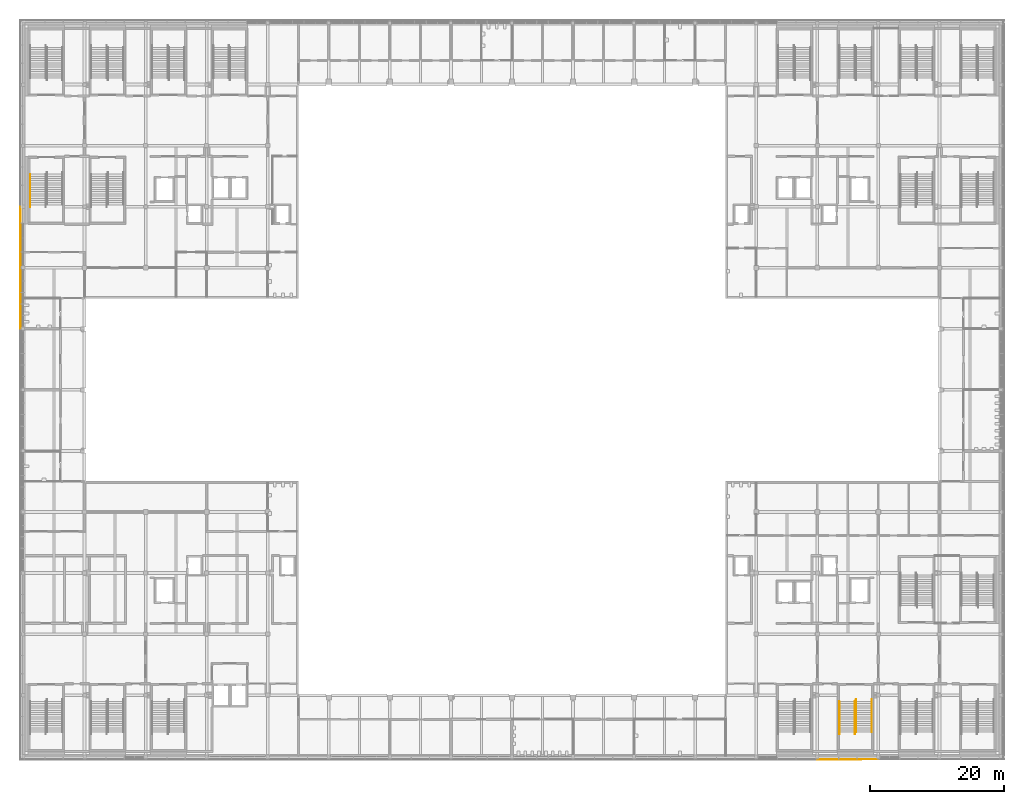
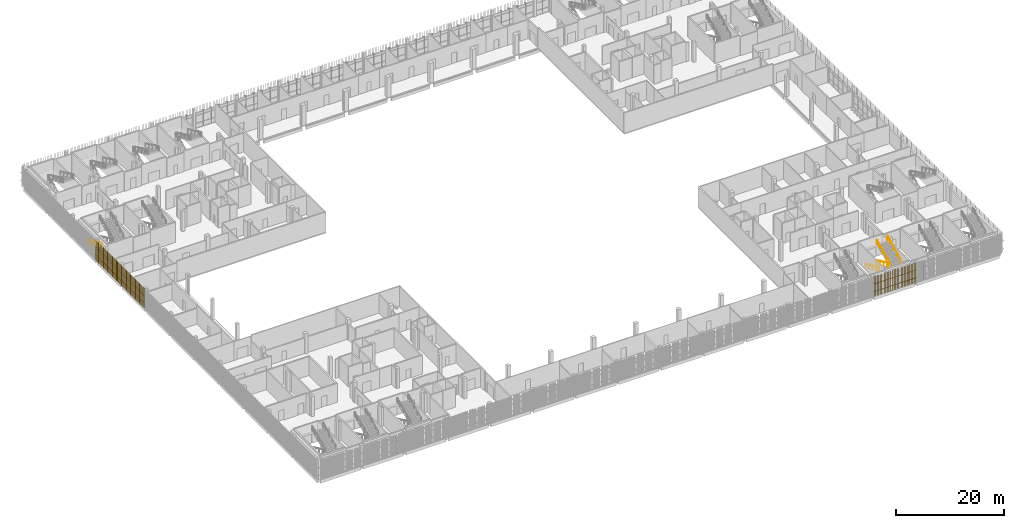
# One storey, part 109 of 124: 5 railings, 3 shading devices.
"""IFC4 building model written with IfcOpenShell, lengths in metres."""

from ifc_helpers import new_model, si_unit, direction, frame, origin, origin_2d, place, context, subcontext, project, spatial, rectangle, circle, extrude, material, type_object, element, save


model = new_model("IFC4")

# Units and contexts
model_context = context("Model", 3, precision=1e-05, world=origin(), true_north=direction((0.0, 1.0)))
body_context = subcontext(model_context, "Body", "Model", "MODEL_VIEW")
ifc_project = project(units=[si_unit("LENGTHUNIT", "METRE"), si_unit("AREAUNIT", "SQUARE_METRE"), si_unit("VOLUMEUNIT", "CUBIC_METRE"), si_unit("PLANEANGLEUNIT", "RADIAN"), si_unit("MASSUNIT", "GRAM", prefix="KILO")], contexts=[model_context])

# Site, building, storey
site_placement = place(None, origin())
site = spatial("IfcSite", under=ifc_project, at=site_placement, CompositionType="ELEMENT")
building_placement = place(site_placement, origin())
building = spatial("IfcBuilding", under=site, at=building_placement, Name="Shirokan Park Arena", CompositionType="ELEMENT")
storey_placement = place(building_placement, frame((0.0, 0.0, 20.02001953125)))
storey = spatial("IfcBuildingStorey", under=building, at=storey_placement, Name="L04", CompositionType="ELEMENT", Elevation=20.02001953125)

# Railings
ifc_material_1 = material(Name="Stainless steel", Category="steel")
railing_type = type_object("IfcRailingType", Name="Stair handrail 900", PredefinedType="HANDRAIL", material=ifc_material_1)
railing_1_placement = place(storey_placement, frame((121.590087890625, 8.14990234375, 0.151611328125)))
element("IfcRailing", 1, at=railing_1_placement, inside=storey, type_object=railing_type, Name="Handrail Exit Stair 2.C L04 to L05", PredefinedType="HANDRAIL", context=body_context, shape_type="SweptSolid", body=[
    extrude(circle(Radius=0.02392578125, at=origin_2d()), frame((0.0, 0.0, 0.8759765625), z_axis=(0.0, -0.906999720516, 0.421131222998), x_axis=(1.0, 0.0, 0.0)), (0.0, 0.0, 1.0), 1.440673828125),
    extrude(circle(Radius=0.02392578125, at=origin_2d()), frame((0.0, -1.306640625, 1.482421875), z_axis=(0.0, -0.907029769225, 0.421066500378), x_axis=(1.0, 0.0, 0.0)), (0.0, 0.0, 1.0), 1.44091796875),
    extrude(circle(Radius=0.02392578125, at=origin_2d()), frame((0.0, -2.613525390625, 2.08935546875), z_axis=(0.0, -0.907029769225, 0.421066500378), x_axis=(1.0, 0.0, 0.0)), (0.0, 0.0, 1.0), 1.44091796875),
    extrude(circle(Radius=0.02392578125, at=origin_2d()), frame((0.0, -3.92041015625, 2.69580078125), z_axis=(0.0, -0.907064445915, 0.420991794405), x_axis=(1.0, 0.0, 0.0)), (0.0, 0.0, 1.0), 0.72021484375),
    extrude(circle(Radius=0.02392578125, at=origin_2d()), frame((0.0, -4.57373046875, 2.9990234375), z_axis=(0.0, -1.0, 0.0), x_axis=(1.0, 0.0, 0.0)), (0.0, 0.0, 1.0), 0.300048828125),
    extrude(circle(Radius=0.02099609375, at=origin_2d()), origin(), (0.0, 0.0, 1.0), 0.851806640625),
    extrude(circle(Radius=0.02099609375, at=origin_2d()), frame((0.0, -1.306640625, 0.606689453125)), (0.0, 0.0, 1.0), 0.851806640625),
    extrude(circle(Radius=0.02099609375, at=origin_2d()), frame((0.0, -2.613525390625, 1.21337890625)), (0.0, 0.0, 1.0), 0.851806640625),
    extrude(circle(Radius=0.02099609375, at=origin_2d()), frame((0.0, -3.92041015625, 1.820068359375)), (0.0, 0.0, 1.0), 0.851806640625),
    extrude(circle(Radius=0.02099609375, at=origin_2d()), frame((0.0, -4.57373046875, 2.123291015625)), (0.0, 0.0, 1.0), 0.851806640625),
    extrude(circle(Radius=0.02099609375, at=origin_2d()), frame((0.0, -4.873779296875, 2.123291015625)), (0.0, 0.0, 1.0), 0.851806640625),
])
railing_2_placement = place(storey_placement, frame((123.909912109375, 8.14990234375, 0.151611328125)))
element("IfcRailing", 2, at=railing_2_placement, inside=storey, type_object=railing_type, Name="Handrail Exit Stair 2.C L04 to L05", PredefinedType="HANDRAIL", context=body_context, shape_type="SweptSolid", body=[
    extrude(circle(Radius=0.02392578125, at=origin_2d()), frame((0.0, 0.0, 0.8759765625), z_axis=(0.0, -0.906999720516, 0.421131222998), x_axis=(1.0, 0.0, 0.0)), (0.0, 0.0, 1.0), 1.440673828125),
    extrude(circle(Radius=0.02392578125, at=origin_2d()), frame((0.0, -1.306640625, 1.482421875), z_axis=(0.0, -0.907029769225, 0.421066500378), x_axis=(1.0, 0.0, 0.0)), (0.0, 0.0, 1.0), 1.44091796875),
    extrude(circle(Radius=0.02392578125, at=origin_2d()), frame((0.0, -2.613525390625, 2.08935546875), z_axis=(0.0, -0.907029769225, 0.421066500378), x_axis=(1.0, 0.0, 0.0)), (0.0, 0.0, 1.0), 1.44091796875),
    extrude(circle(Radius=0.02392578125, at=origin_2d()), frame((0.0, -3.92041015625, 2.69580078125), z_axis=(0.0, -0.907064445915, 0.420991794405), x_axis=(1.0, 0.0, 0.0)), (0.0, 0.0, 1.0), 0.72021484375),
    extrude(circle(Radius=0.02392578125, at=origin_2d()), frame((0.0, -4.57373046875, 2.9990234375), z_axis=(0.0, -1.0, 0.0), x_axis=(1.0, 0.0, 0.0)), (0.0, 0.0, 1.0), 0.300048828125),
    extrude(circle(Radius=0.02099609375, at=origin_2d()), origin(), (0.0, 0.0, 1.0), 0.851806640625),
    extrude(circle(Radius=0.02099609375, at=origin_2d()), frame((0.0, -1.306640625, 0.606689453125)), (0.0, 0.0, 1.0), 0.851806640625),
    extrude(circle(Radius=0.02099609375, at=origin_2d()), frame((0.0, -2.613525390625, 1.21337890625)), (0.0, 0.0, 1.0), 0.851806640625),
    extrude(circle(Radius=0.02099609375, at=origin_2d()), frame((0.0, -3.92041015625, 1.820068359375)), (0.0, 0.0, 1.0), 0.851806640625),
    extrude(circle(Radius=0.02099609375, at=origin_2d()), frame((0.0, -4.57373046875, 2.123291015625)), (0.0, 0.0, 1.0), 0.851806640625),
    extrude(circle(Radius=0.02099609375, at=origin_2d()), frame((0.0, -4.873779296875, 2.123291015625)), (0.0, 0.0, 1.0), 0.851806640625),
])
railing_3_placement = place(storey_placement, frame((124.090087890625, 3.576171875, 2.4267578125)))
element("IfcRailing", 3, at=railing_3_placement, inside=storey, type_object=railing_type, Name="Handrail Exit Stair 2.C L04 to L05", PredefinedType="HANDRAIL", context=body_context, shape_type="SweptSolid", body=[
    extrude(circle(Radius=0.02392578125, at=origin_2d()), frame((0.0, 0.0, 0.8759765625), z_axis=(0.0, 0.907094476872, 0.420927083981), x_axis=(-1.0, 0.0, 0.0)), (0.0, 0.0, 1.0), 1.440673828125),
    extrude(circle(Radius=0.02392578125, at=origin_2d()), frame((0.0, 1.306884765625, 1.482421875), z_axis=(0.0, 0.906999720516, 0.421131222998), x_axis=(-1.0, 0.0, 0.0)), (0.0, 0.0, 1.0), 1.440673828125),
    extrude(circle(Radius=0.02392578125, at=origin_2d()), frame((0.0, 2.613525390625, 2.0888671875), z_axis=(0.0, 0.907029769225, 0.421066500378), x_axis=(-1.0, 0.0, 0.0)), (0.0, 0.0, 1.0), 1.44091796875),
    extrude(circle(Radius=0.02392578125, at=origin_2d()), frame((0.0, 3.92041015625, 2.69580078125), z_axis=(0.0, 0.906934982928, 0.421270621741), x_axis=(-1.0, 0.0, 0.0)), (0.0, 0.0, 1.0), 0.720458984375),
    extrude(circle(Radius=0.02392578125, at=origin_2d()), frame((0.0, 4.57373046875, 2.9990234375), z_axis=(0.0, 1.0, 0.0), x_axis=(-1.0, 0.0, 0.0)), (0.0, 0.0, 1.0), 0.300048828125),
    extrude(circle(Radius=0.02099609375, at=origin_2d()), origin(), (0.0, 0.0, 1.0), 0.851806640625),
    extrude(circle(Radius=0.02099609375, at=origin_2d()), frame((0.0, 1.306884765625, 0.6064453125)), (0.0, 0.0, 1.0), 0.851806640625),
    extrude(circle(Radius=0.02099609375, at=origin_2d()), frame((0.0, 2.613525390625, 1.213134765625)), (0.0, 0.0, 1.0), 0.851806640625),
    extrude(circle(Radius=0.02099609375, at=origin_2d()), frame((0.0, 3.92041015625, 1.81982421875)), (0.0, 0.0, 1.0), 0.851806640625),
    extrude(circle(Radius=0.02099609375, at=origin_2d()), frame((0.0, 4.57373046875, 2.123291015625)), (0.0, 0.0, 1.0), 0.851806640625),
    extrude(circle(Radius=0.02099609375, at=origin_2d()), frame((0.0, 4.873779296875, 2.123291015625)), (0.0, 0.0, 1.0), 0.851806640625),
])
railing_4_placement = place(storey_placement, frame((126.409912109375, 3.576171875, 2.4267578125)))
element("IfcRailing", 4, at=railing_4_placement, inside=storey, type_object=railing_type, Name="Handrail Exit Stair 2.C L04 to L05", PredefinedType="HANDRAIL", context=body_context, shape_type="SweptSolid", body=[
    extrude(circle(Radius=0.02392578125, at=origin_2d()), frame((0.0, 0.0, 0.8759765625), z_axis=(0.0, 0.907094476872, 0.420927083981), x_axis=(-1.0, 0.0, 0.0)), (0.0, 0.0, 1.0), 1.440673828125),
    extrude(circle(Radius=0.02392578125, at=origin_2d()), frame((0.0, 1.306884765625, 1.482421875), z_axis=(0.0, 0.906999720516, 0.421131222998), x_axis=(-1.0, 0.0, 0.0)), (0.0, 0.0, 1.0), 1.440673828125),
    extrude(circle(Radius=0.02392578125, at=origin_2d()), frame((0.0, 2.613525390625, 2.0888671875), z_axis=(0.0, 0.907029769225, 0.421066500378), x_axis=(-1.0, 0.0, 0.0)), (0.0, 0.0, 1.0), 1.44091796875),
    extrude(circle(Radius=0.02392578125, at=origin_2d()), frame((0.0, 3.92041015625, 2.69580078125), z_axis=(0.0, 0.906934982928, 0.421270621741), x_axis=(-1.0, 0.0, 0.0)), (0.0, 0.0, 1.0), 0.720458984375),
    extrude(circle(Radius=0.02392578125, at=origin_2d()), frame((0.0, 4.57373046875, 2.9990234375), z_axis=(0.0, 1.0, 0.0), x_axis=(-1.0, 0.0, 0.0)), (0.0, 0.0, 1.0), 0.300048828125),
    extrude(circle(Radius=0.02099609375, at=origin_2d()), origin(), (0.0, 0.0, 1.0), 0.851806640625),
    extrude(circle(Radius=0.02099609375, at=origin_2d()), frame((0.0, 1.306884765625, 0.6064453125)), (0.0, 0.0, 1.0), 0.851806640625),
    extrude(circle(Radius=0.02099609375, at=origin_2d()), frame((0.0, 2.613525390625, 1.213134765625)), (0.0, 0.0, 1.0), 0.851806640625),
    extrude(circle(Radius=0.02099609375, at=origin_2d()), frame((0.0, 3.92041015625, 1.81982421875)), (0.0, 0.0, 1.0), 0.851806640625),
    extrude(circle(Radius=0.02099609375, at=origin_2d()), frame((0.0, 4.57373046875, 2.123291015625)), (0.0, 0.0, 1.0), 0.851806640625),
    extrude(circle(Radius=0.02099609375, at=origin_2d()), frame((0.0, 4.873779296875, 2.123291015625)), (0.0, 0.0, 1.0), 0.851806640625),
])
railing_5_placement = place(storey_placement, frame((0.989990234375, 86.75, 0.151611328125)))
element("IfcRailing", 5, at=railing_5_placement, inside=storey, type_object=railing_type, Name="Handrail Exit Stair 4.E L04 to L05", PredefinedType="HANDRAIL", context=body_context, shape_type="SweptSolid", body=[
    extrude(circle(Radius=0.02392578125, at=origin_2d()), frame((0.0, 0.0, 0.8759765625), z_axis=(0.0, -0.907029769225, 0.421066500378), x_axis=(1.0, 0.0, 0.0)), (0.0, 0.0, 1.0), 1.44091796875),
    extrude(circle(Radius=0.02392578125, at=origin_2d()), frame((0.0, -1.306884765625, 1.482421875), z_axis=(0.0, -0.906999720516, 0.421131222998), x_axis=(1.0, 0.0, 0.0)), (0.0, 0.0, 1.0), 1.440673828125),
    extrude(circle(Radius=0.02392578125, at=origin_2d()), frame((0.0, -2.613525390625, 2.08935546875), z_axis=(0.0, -0.907029769225, 0.421066500378), x_axis=(1.0, 0.0, 0.0)), (0.0, 0.0, 1.0), 1.44091796875),
    extrude(circle(Radius=0.02392578125, at=origin_2d()), frame((0.0, -3.92041015625, 2.69580078125), z_axis=(0.0, -0.907064445915, 0.420991794405), x_axis=(1.0, 0.0, 0.0)), (0.0, 0.0, 1.0), 0.72021484375),
    extrude(circle(Radius=0.02392578125, at=origin_2d()), frame((0.0, -4.57373046875, 2.9990234375), z_axis=(0.0, -1.0, 0.0), x_axis=(1.0, 0.0, 0.0)), (0.0, 0.0, 1.0), 0.300048828125),
    extrude(circle(Radius=0.02099609375, at=origin_2d()), origin(), (0.0, 0.0, 1.0), 0.851806640625),
    extrude(circle(Radius=0.02099609375, at=origin_2d()), frame((0.0, -1.306884765625, 0.606689453125)), (0.0, 0.0, 1.0), 0.851806640625),
    extrude(circle(Radius=0.02099609375, at=origin_2d()), frame((0.0, -2.613525390625, 1.21337890625)), (0.0, 0.0, 1.0), 0.851806640625),
    extrude(circle(Radius=0.02099609375, at=origin_2d()), frame((0.0, -3.92041015625, 1.820068359375)), (0.0, 0.0, 1.0), 0.851806640625),
    extrude(circle(Radius=0.02099609375, at=origin_2d()), frame((0.0, -4.57373046875, 2.123291015625)), (0.0, 0.0, 1.0), 0.851806640625),
    extrude(circle(Radius=0.02099609375, at=origin_2d()), frame((0.0, -4.873779296875, 2.123291015625)), (0.0, 0.0, 1.0), 0.851806640625),
])

# Shading devices
ifc_material_2 = material(Name="Timber louvre veil (cedar)", Category="wood")
shading_device_type = type_object("IfcShadingDeviceType", Name="Timber louvre veil panel", PredefinedType="JALOUSIE", material=ifc_material_2)
shading_device_1_placement = place(storey_placement, origin())
element("IfcShadingDevice", 6, at=shading_device_1_placement, inside=storey, type_object=shading_device_type, Name="Timber louvre veil south bay 14 L04", PredefinedType="JALOUSIE", context=body_context, shape_type="SweptSolid", body=[
    extrude(rectangle(XDim=0.050048828125, YDim=0.080078125, at=origin_2d()), frame((118.45166015625, -0.485107421875, 0.0), z_axis=(0.0, 0.0, 1.0), x_axis=(1.0, 0.0, 0.0)), (0.0, 0.0, 1.0), 4.550048828125),
    extrude(rectangle(XDim=0.050048828125, YDim=0.080078125, at=origin_2d()), frame((118.7548828125, -0.485107421875, 0.0), z_axis=(0.0, 0.0, 1.0), x_axis=(1.0, 0.0, 0.0)), (0.0, 0.0, 1.0), 4.550048828125),
    extrude(rectangle(XDim=0.050048828125, YDim=0.080078125, at=origin_2d()), frame((119.058349609375, -0.485107421875, 0.0), z_axis=(0.0, 0.0, 1.0), x_axis=(1.0, 0.0, 0.0)), (0.0, 0.0, 1.0), 4.550048828125),
    extrude(rectangle(XDim=0.050048828125, YDim=0.080078125, at=origin_2d()), frame((119.361572265625, -0.485107421875, 0.0), z_axis=(0.0, 0.0, 1.0), x_axis=(1.0, 0.0, 0.0)), (0.0, 0.0, 1.0), 4.550048828125),
    extrude(rectangle(XDim=0.050048828125, YDim=0.080078125, at=origin_2d()), frame((119.6650390625, -0.485107421875, 0.0), z_axis=(0.0, 0.0, 1.0), x_axis=(1.0, 0.0, 0.0)), (0.0, 0.0, 1.0), 4.550048828125),
    extrude(rectangle(XDim=0.050048828125, YDim=0.080078125, at=origin_2d()), frame((119.96826171875, -0.485107421875, 0.0), z_axis=(0.0, 0.0, 1.0), x_axis=(1.0, 0.0, 0.0)), (0.0, 0.0, 1.0), 4.550048828125),
    extrude(rectangle(XDim=0.050048828125, YDim=0.080078125, at=origin_2d()), frame((120.271728515625, -0.485107421875, 0.0), z_axis=(0.0, 0.0, 1.0), x_axis=(1.0, 0.0, 0.0)), (0.0, 0.0, 1.0), 4.550048828125),
    extrude(rectangle(XDim=0.050048828125, YDim=0.080078125, at=origin_2d()), frame((120.574951171875, -0.485107421875, 0.0), z_axis=(0.0, 0.0, 1.0), x_axis=(1.0, 0.0, 0.0)), (0.0, 0.0, 1.0), 4.550048828125),
    extrude(rectangle(XDim=0.050048828125, YDim=0.080078125, at=origin_2d()), frame((120.87841796875, -0.485107421875, 0.0), z_axis=(0.0, 0.0, 1.0), x_axis=(1.0, 0.0, 0.0)), (0.0, 0.0, 1.0), 4.550048828125),
    extrude(rectangle(XDim=0.050048828125, YDim=0.080078125, at=origin_2d()), frame((121.181640625, -0.485107421875, 0.0), z_axis=(0.0, 0.0, 1.0), x_axis=(1.0, 0.0, 0.0)), (0.0, 0.0, 1.0), 4.550048828125),
    extrude(rectangle(XDim=0.050048828125, YDim=0.080078125, at=origin_2d()), frame((121.485107421875, -0.485107421875, 0.0), z_axis=(0.0, 0.0, 1.0), x_axis=(1.0, 0.0, 0.0)), (0.0, 0.0, 1.0), 4.550048828125),
    extrude(rectangle(XDim=0.050048828125, YDim=0.080078125, at=origin_2d()), frame((121.788330078125, -0.485107421875, 0.0), z_axis=(0.0, 0.0, 1.0), x_axis=(1.0, 0.0, 0.0)), (0.0, 0.0, 1.0), 4.550048828125),
    extrude(rectangle(XDim=0.050048828125, YDim=0.080078125, at=origin_2d()), frame((122.091552734375, -0.485107421875, 0.0), z_axis=(0.0, 0.0, 1.0), x_axis=(1.0, 0.0, 0.0)), (0.0, 0.0, 1.0), 4.550048828125),
    extrude(rectangle(XDim=0.050048828125, YDim=0.080078125, at=origin_2d()), frame((122.39501953125, -0.485107421875, 0.0), z_axis=(0.0, 0.0, 1.0), x_axis=(1.0, 0.0, 0.0)), (0.0, 0.0, 1.0), 4.550048828125),
    extrude(rectangle(XDim=0.050048828125, YDim=0.080078125, at=origin_2d()), frame((122.6982421875, -0.485107421875, 0.0), z_axis=(0.0, 0.0, 1.0), x_axis=(1.0, 0.0, 0.0)), (0.0, 0.0, 1.0), 4.550048828125),
    extrude(rectangle(XDim=0.050048828125, YDim=0.080078125, at=origin_2d()), frame((123.001708984375, -0.485107421875, 0.0), z_axis=(0.0, 0.0, 1.0), x_axis=(1.0, 0.0, 0.0)), (0.0, 0.0, 1.0), 4.550048828125),
    extrude(rectangle(XDim=0.050048828125, YDim=0.080078125, at=origin_2d()), frame((123.304931640625, -0.485107421875, 0.0), z_axis=(0.0, 0.0, 1.0), x_axis=(1.0, 0.0, 0.0)), (0.0, 0.0, 1.0), 4.550048828125),
    extrude(rectangle(XDim=0.050048828125, YDim=0.080078125, at=origin_2d()), frame((123.6083984375, -0.485107421875, 0.0), z_axis=(0.0, 0.0, 1.0), x_axis=(1.0, 0.0, 0.0)), (0.0, 0.0, 1.0), 4.550048828125),
    extrude(rectangle(XDim=0.050048828125, YDim=0.080078125, at=origin_2d()), frame((123.91162109375, -0.485107421875, 0.0), z_axis=(0.0, 0.0, 1.0), x_axis=(1.0, 0.0, 0.0)), (0.0, 0.0, 1.0), 4.550048828125),
    extrude(rectangle(XDim=0.050048828125, YDim=0.080078125, at=origin_2d()), frame((124.215087890625, -0.485107421875, 0.0), z_axis=(0.0, 0.0, 1.0), x_axis=(1.0, 0.0, 0.0)), (0.0, 0.0, 1.0), 4.550048828125),
    extrude(rectangle(XDim=0.050048828125, YDim=0.080078125, at=origin_2d()), frame((124.518310546875, -0.485107421875, 0.0), z_axis=(0.0, 0.0, 1.0), x_axis=(1.0, 0.0, 0.0)), (0.0, 0.0, 1.0), 4.550048828125),
    extrude(rectangle(XDim=0.050048828125, YDim=0.080078125, at=origin_2d()), frame((124.82177734375, -0.485107421875, 0.0), z_axis=(0.0, 0.0, 1.0), x_axis=(1.0, 0.0, 0.0)), (0.0, 0.0, 1.0), 4.550048828125),
    extrude(rectangle(XDim=0.050048828125, YDim=0.080078125, at=origin_2d()), frame((125.125, -0.485107421875, 0.0), z_axis=(0.0, 0.0, 1.0), x_axis=(1.0, 0.0, 0.0)), (0.0, 0.0, 1.0), 4.550048828125),
    extrude(rectangle(XDim=0.050048828125, YDim=0.080078125, at=origin_2d()), frame((125.42822265625, -0.485107421875, 0.0), z_axis=(0.0, 0.0, 1.0), x_axis=(1.0, 0.0, 0.0)), (0.0, 0.0, 1.0), 4.550048828125),
    extrude(rectangle(XDim=0.050048828125, YDim=0.080078125, at=origin_2d()), frame((125.731689453125, -0.485107421875, 0.0), z_axis=(0.0, 0.0, 1.0), x_axis=(1.0, 0.0, 0.0)), (0.0, 0.0, 1.0), 4.550048828125),
    extrude(rectangle(XDim=0.050048828125, YDim=0.080078125, at=origin_2d()), frame((126.034912109375, -0.485107421875, 0.0), z_axis=(0.0, 0.0, 1.0), x_axis=(1.0, 0.0, 0.0)), (0.0, 0.0, 1.0), 4.550048828125),
    extrude(rectangle(XDim=0.050048828125, YDim=0.080078125, at=origin_2d()), frame((126.33837890625, -0.485107421875, 0.0), z_axis=(0.0, 0.0, 1.0), x_axis=(1.0, 0.0, 0.0)), (0.0, 0.0, 1.0), 4.550048828125),
    extrude(rectangle(XDim=0.050048828125, YDim=0.080078125, at=origin_2d()), frame((126.6416015625, -0.485107421875, 0.0), z_axis=(0.0, 0.0, 1.0), x_axis=(1.0, 0.0, 0.0)), (0.0, 0.0, 1.0), 4.550048828125),
    extrude(rectangle(XDim=0.050048828125, YDim=0.080078125, at=origin_2d()), frame((126.945068359375, -0.485107421875, 0.0), z_axis=(0.0, 0.0, 1.0), x_axis=(1.0, 0.0, 0.0)), (0.0, 0.0, 1.0), 4.550048828125),
    extrude(rectangle(XDim=0.050048828125, YDim=0.080078125, at=origin_2d()), frame((127.248291015625, -0.485107421875, 0.0), z_axis=(0.0, 0.0, 1.0), x_axis=(1.0, 0.0, 0.0)), (0.0, 0.0, 1.0), 4.550048828125),
    extrude(rectangle(XDim=9.10009765625, YDim=0.050048828125, at=origin_2d()), frame((122.85009765625, -0.469970703125, 1.06005859375), z_axis=(0.0, 0.0, 1.0), x_axis=(1.0, 0.0, 0.0)), (0.0, 0.0, 1.0), 0.080078125),
    extrude(rectangle(XDim=9.10009765625, YDim=0.050048828125, at=origin_2d()), frame((122.85009765625, -0.469970703125, 2.81005859375), z_axis=(0.0, 0.0, 1.0), x_axis=(1.0, 0.0, 0.0)), (0.0, 0.0, 1.0), 0.080078125),
])
shading_device_2_placement = place(storey_placement, origin())
element("IfcShadingDevice", 7, at=shading_device_2_placement, inside=storey, type_object=shading_device_type, Name="Timber louvre veil west bay 4 L04", PredefinedType="JALOUSIE", context=body_context, shape_type="SweptSolid", body=[
    extrude(rectangle(XDim=0.050048828125, YDim=0.080078125, at=origin_2d()), frame((-0.485107421875, 81.748291015625, 0.0), z_axis=(0.0, 0.0, 1.0), x_axis=(0.0, -1.0, 0.0)), (0.0, 0.0, 1.0), 4.550048828125),
    extrude(rectangle(XDim=0.050048828125, YDim=0.080078125, at=origin_2d()), frame((-0.485107421875, 81.445068359375, 0.0), z_axis=(0.0, 0.0, 1.0), x_axis=(0.0, -1.0, 0.0)), (0.0, 0.0, 1.0), 4.550048828125),
    extrude(rectangle(XDim=0.050048828125, YDim=0.080078125, at=origin_2d()), frame((-0.485107421875, 81.1416015625, 0.0), z_axis=(0.0, 0.0, 1.0), x_axis=(0.0, -1.0, 0.0)), (0.0, 0.0, 1.0), 4.550048828125),
    extrude(rectangle(XDim=0.050048828125, YDim=0.080078125, at=origin_2d()), frame((-0.485107421875, 80.83837890625, 0.0), z_axis=(0.0, 0.0, 1.0), x_axis=(0.0, -1.0, 0.0)), (0.0, 0.0, 1.0), 4.550048828125),
    extrude(rectangle(XDim=0.050048828125, YDim=0.080078125, at=origin_2d()), frame((-0.485107421875, 80.534912109375, 0.0), z_axis=(0.0, 0.0, 1.0), x_axis=(0.0, -1.0, 0.0)), (0.0, 0.0, 1.0), 4.550048828125),
    extrude(rectangle(XDim=0.050048828125, YDim=0.080078125, at=origin_2d()), frame((-0.485107421875, 80.231689453125, 0.0), z_axis=(0.0, 0.0, 1.0), x_axis=(0.0, -1.0, 0.0)), (0.0, 0.0, 1.0), 4.550048828125),
    extrude(rectangle(XDim=0.050048828125, YDim=0.080078125, at=origin_2d()), frame((-0.485107421875, 79.92822265625, 0.0), z_axis=(0.0, 0.0, 1.0), x_axis=(0.0, -1.0, 0.0)), (0.0, 0.0, 1.0), 4.550048828125),
    extrude(rectangle(XDim=0.050048828125, YDim=0.080078125, at=origin_2d()), frame((-0.485107421875, 79.625, 0.0), z_axis=(0.0, 0.0, 1.0), x_axis=(0.0, -1.0, 0.0)), (0.0, 0.0, 1.0), 4.550048828125),
    extrude(rectangle(XDim=0.050048828125, YDim=0.080078125, at=origin_2d()), frame((-0.485107421875, 79.32177734375, 0.0), z_axis=(0.0, 0.0, 1.0), x_axis=(0.0, -1.0, 0.0)), (0.0, 0.0, 1.0), 4.550048828125),
    extrude(rectangle(XDim=0.050048828125, YDim=0.080078125, at=origin_2d()), frame((-0.485107421875, 79.018310546875, 0.0), z_axis=(0.0, 0.0, 1.0), x_axis=(0.0, -1.0, 0.0)), (0.0, 0.0, 1.0), 4.550048828125),
    extrude(rectangle(XDim=0.050048828125, YDim=0.080078125, at=origin_2d()), frame((-0.485107421875, 78.715087890625, 0.0), z_axis=(0.0, 0.0, 1.0), x_axis=(0.0, -1.0, 0.0)), (0.0, 0.0, 1.0), 4.550048828125),
    extrude(rectangle(XDim=0.050048828125, YDim=0.080078125, at=origin_2d()), frame((-0.485107421875, 78.41162109375, 0.0), z_axis=(0.0, 0.0, 1.0), x_axis=(0.0, -1.0, 0.0)), (0.0, 0.0, 1.0), 4.550048828125),
    extrude(rectangle(XDim=0.050048828125, YDim=0.080078125, at=origin_2d()), frame((-0.485107421875, 78.1083984375, 0.0), z_axis=(0.0, 0.0, 1.0), x_axis=(0.0, -1.0, 0.0)), (0.0, 0.0, 1.0), 4.550048828125),
    extrude(rectangle(XDim=0.050048828125, YDim=0.080078125, at=origin_2d()), frame((-0.485107421875, 77.804931640625, 0.0), z_axis=(0.0, 0.0, 1.0), x_axis=(0.0, -1.0, 0.0)), (0.0, 0.0, 1.0), 4.550048828125),
    extrude(rectangle(XDim=0.050048828125, YDim=0.080078125, at=origin_2d()), frame((-0.485107421875, 77.501708984375, 0.0), z_axis=(0.0, 0.0, 1.0), x_axis=(0.0, -1.0, 0.0)), (0.0, 0.0, 1.0), 4.550048828125),
    extrude(rectangle(XDim=0.050048828125, YDim=0.080078125, at=origin_2d()), frame((-0.485107421875, 77.1982421875, 0.0), z_axis=(0.0, 0.0, 1.0), x_axis=(0.0, -1.0, 0.0)), (0.0, 0.0, 1.0), 4.550048828125),
    extrude(rectangle(XDim=0.050048828125, YDim=0.080078125, at=origin_2d()), frame((-0.485107421875, 76.89501953125, 0.0), z_axis=(0.0, 0.0, 1.0), x_axis=(0.0, -1.0, 0.0)), (0.0, 0.0, 1.0), 4.550048828125),
    extrude(rectangle(XDim=0.050048828125, YDim=0.080078125, at=origin_2d()), frame((-0.485107421875, 76.591552734375, 0.0), z_axis=(0.0, 0.0, 1.0), x_axis=(0.0, -1.0, 0.0)), (0.0, 0.0, 1.0), 4.550048828125),
    extrude(rectangle(XDim=0.050048828125, YDim=0.080078125, at=origin_2d()), frame((-0.485107421875, 76.288330078125, 0.0), z_axis=(0.0, 0.0, 1.0), x_axis=(0.0, -1.0, 0.0)), (0.0, 0.0, 1.0), 4.550048828125),
    extrude(rectangle(XDim=0.050048828125, YDim=0.080078125, at=origin_2d()), frame((-0.485107421875, 75.985107421875, 0.0), z_axis=(0.0, 0.0, 1.0), x_axis=(0.0, -1.0, 0.0)), (0.0, 0.0, 1.0), 4.550048828125),
    extrude(rectangle(XDim=0.050048828125, YDim=0.080078125, at=origin_2d()), frame((-0.485107421875, 75.681640625, 0.0), z_axis=(0.0, 0.0, 1.0), x_axis=(0.0, -1.0, 0.0)), (0.0, 0.0, 1.0), 4.550048828125),
    extrude(rectangle(XDim=0.050048828125, YDim=0.080078125, at=origin_2d()), frame((-0.485107421875, 75.37841796875, 0.0), z_axis=(0.0, 0.0, 1.0), x_axis=(0.0, -1.0, 0.0)), (0.0, 0.0, 1.0), 4.550048828125),
    extrude(rectangle(XDim=0.050048828125, YDim=0.080078125, at=origin_2d()), frame((-0.485107421875, 75.074951171875, 0.0), z_axis=(0.0, 0.0, 1.0), x_axis=(0.0, -1.0, 0.0)), (0.0, 0.0, 1.0), 4.550048828125),
    extrude(rectangle(XDim=0.050048828125, YDim=0.080078125, at=origin_2d()), frame((-0.485107421875, 74.771728515625, 0.0), z_axis=(0.0, 0.0, 1.0), x_axis=(0.0, -1.0, 0.0)), (0.0, 0.0, 1.0), 4.550048828125),
    extrude(rectangle(XDim=0.050048828125, YDim=0.080078125, at=origin_2d()), frame((-0.485107421875, 74.46826171875, 0.0), z_axis=(0.0, 0.0, 1.0), x_axis=(0.0, -1.0, 0.0)), (0.0, 0.0, 1.0), 4.550048828125),
    extrude(rectangle(XDim=0.050048828125, YDim=0.080078125, at=origin_2d()), frame((-0.485107421875, 74.1650390625, 0.0), z_axis=(0.0, 0.0, 1.0), x_axis=(0.0, -1.0, 0.0)), (0.0, 0.0, 1.0), 4.550048828125),
    extrude(rectangle(XDim=0.050048828125, YDim=0.080078125, at=origin_2d()), frame((-0.485107421875, 73.861572265625, 0.0), z_axis=(0.0, 0.0, 1.0), x_axis=(0.0, -1.0, 0.0)), (0.0, 0.0, 1.0), 4.550048828125),
    extrude(rectangle(XDim=0.050048828125, YDim=0.080078125, at=origin_2d()), frame((-0.485107421875, 73.558349609375, 0.0), z_axis=(0.0, 0.0, 1.0), x_axis=(0.0, -1.0, 0.0)), (0.0, 0.0, 1.0), 4.550048828125),
    extrude(rectangle(XDim=0.050048828125, YDim=0.080078125, at=origin_2d()), frame((-0.485107421875, 73.2548828125, 0.0), z_axis=(0.0, 0.0, 1.0), x_axis=(0.0, -1.0, 0.0)), (0.0, 0.0, 1.0), 4.550048828125),
    extrude(rectangle(XDim=0.050048828125, YDim=0.080078125, at=origin_2d()), frame((-0.485107421875, 72.95166015625, 0.0), z_axis=(0.0, 0.0, 1.0), x_axis=(0.0, -1.0, 0.0)), (0.0, 0.0, 1.0), 4.550048828125),
    extrude(rectangle(XDim=9.10009765625, YDim=0.050048828125, at=origin_2d()), frame((-0.469970703125, 77.35009765625, 1.06005859375), z_axis=(0.0, 0.0, 1.0), x_axis=(0.0, -1.0, 0.0)), (0.0, 0.0, 1.0), 0.080078125),
    extrude(rectangle(XDim=9.10009765625, YDim=0.050048828125, at=origin_2d()), frame((-0.469970703125, 77.35009765625, 2.81005859375), z_axis=(0.0, 0.0, 1.0), x_axis=(0.0, -1.0, 0.0)), (0.0, 0.0, 1.0), 0.080078125),
])
shading_device_3_placement = place(storey_placement, origin())
element("IfcShadingDevice", 8, at=shading_device_3_placement, inside=storey, type_object=shading_device_type, Name="Timber louvre veil west bay 5 L04", PredefinedType="JALOUSIE", context=body_context, shape_type="SweptSolid", body=[
    extrude(rectangle(XDim=0.050048828125, YDim=0.080078125, at=origin_2d()), frame((-0.485107421875, 72.6484375, 0.0), z_axis=(0.0, 0.0, 1.0), x_axis=(0.0, -1.0, 0.0)), (0.0, 0.0, 1.0), 4.550048828125),
    extrude(rectangle(XDim=0.050048828125, YDim=0.080078125, at=origin_2d()), frame((-0.485107421875, 72.344970703125, 0.0), z_axis=(0.0, 0.0, 1.0), x_axis=(0.0, -1.0, 0.0)), (0.0, 0.0, 1.0), 4.550048828125),
    extrude(rectangle(XDim=0.050048828125, YDim=0.080078125, at=origin_2d()), frame((-0.485107421875, 72.041748046875, 0.0), z_axis=(0.0, 0.0, 1.0), x_axis=(0.0, -1.0, 0.0)), (0.0, 0.0, 1.0), 4.550048828125),
    extrude(rectangle(XDim=0.050048828125, YDim=0.080078125, at=origin_2d()), frame((-0.485107421875, 71.73828125, 0.0), z_axis=(0.0, 0.0, 1.0), x_axis=(0.0, -1.0, 0.0)), (0.0, 0.0, 1.0), 4.550048828125),
    extrude(rectangle(XDim=0.050048828125, YDim=0.080078125, at=origin_2d()), frame((-0.485107421875, 71.43505859375, 0.0), z_axis=(0.0, 0.0, 1.0), x_axis=(0.0, -1.0, 0.0)), (0.0, 0.0, 1.0), 4.550048828125),
    extrude(rectangle(XDim=0.050048828125, YDim=0.080078125, at=origin_2d()), frame((-0.485107421875, 71.131591796875, 0.0), z_axis=(0.0, 0.0, 1.0), x_axis=(0.0, -1.0, 0.0)), (0.0, 0.0, 1.0), 4.550048828125),
    extrude(rectangle(XDim=0.050048828125, YDim=0.080078125, at=origin_2d()), frame((-0.485107421875, 70.828369140625, 0.0), z_axis=(0.0, 0.0, 1.0), x_axis=(0.0, -1.0, 0.0)), (0.0, 0.0, 1.0), 4.550048828125),
    extrude(rectangle(XDim=0.050048828125, YDim=0.080078125, at=origin_2d()), frame((-0.485107421875, 70.52490234375, 0.0), z_axis=(0.0, 0.0, 1.0), x_axis=(0.0, -1.0, 0.0)), (0.0, 0.0, 1.0), 4.550048828125),
    extrude(rectangle(XDim=0.050048828125, YDim=0.080078125, at=origin_2d()), frame((-0.485107421875, 70.2216796875, 0.0), z_axis=(0.0, 0.0, 1.0), x_axis=(0.0, -1.0, 0.0)), (0.0, 0.0, 1.0), 4.550048828125),
    extrude(rectangle(XDim=0.050048828125, YDim=0.080078125, at=origin_2d()), frame((-0.485107421875, 69.918212890625, 0.0), z_axis=(0.0, 0.0, 1.0), x_axis=(0.0, -1.0, 0.0)), (0.0, 0.0, 1.0), 4.550048828125),
    extrude(rectangle(XDim=0.050048828125, YDim=0.080078125, at=origin_2d()), frame((-0.485107421875, 69.614990234375, 0.0), z_axis=(0.0, 0.0, 1.0), x_axis=(0.0, -1.0, 0.0)), (0.0, 0.0, 1.0), 4.550048828125),
    extrude(rectangle(XDim=0.050048828125, YDim=0.080078125, at=origin_2d()), frame((-0.485107421875, 69.311767578125, 0.0), z_axis=(0.0, 0.0, 1.0), x_axis=(0.0, -1.0, 0.0)), (0.0, 0.0, 1.0), 4.550048828125),
    extrude(rectangle(XDim=0.050048828125, YDim=0.080078125, at=origin_2d()), frame((-0.485107421875, 69.00830078125, 0.0), z_axis=(0.0, 0.0, 1.0), x_axis=(0.0, -1.0, 0.0)), (0.0, 0.0, 1.0), 4.550048828125),
    extrude(rectangle(XDim=0.050048828125, YDim=0.080078125, at=origin_2d()), frame((-0.485107421875, 68.705078125, 0.0), z_axis=(0.0, 0.0, 1.0), x_axis=(0.0, -1.0, 0.0)), (0.0, 0.0, 1.0), 4.550048828125),
    extrude(rectangle(XDim=0.050048828125, YDim=0.080078125, at=origin_2d()), frame((-0.485107421875, 68.401611328125, 0.0), z_axis=(0.0, 0.0, 1.0), x_axis=(0.0, -1.0, 0.0)), (0.0, 0.0, 1.0), 4.550048828125),
    extrude(rectangle(XDim=0.050048828125, YDim=0.080078125, at=origin_2d()), frame((-0.485107421875, 68.098388671875, 0.0), z_axis=(0.0, 0.0, 1.0), x_axis=(0.0, -1.0, 0.0)), (0.0, 0.0, 1.0), 4.550048828125),
    extrude(rectangle(XDim=0.050048828125, YDim=0.080078125, at=origin_2d()), frame((-0.485107421875, 67.794921875, 0.0), z_axis=(0.0, 0.0, 1.0), x_axis=(0.0, -1.0, 0.0)), (0.0, 0.0, 1.0), 4.550048828125),
    extrude(rectangle(XDim=0.050048828125, YDim=0.080078125, at=origin_2d()), frame((-0.485107421875, 67.49169921875, 0.0), z_axis=(0.0, 0.0, 1.0), x_axis=(0.0, -1.0, 0.0)), (0.0, 0.0, 1.0), 4.550048828125),
    extrude(rectangle(XDim=0.050048828125, YDim=0.080078125, at=origin_2d()), frame((-0.485107421875, 67.188232421875, 0.0), z_axis=(0.0, 0.0, 1.0), x_axis=(0.0, -1.0, 0.0)), (0.0, 0.0, 1.0), 4.550048828125),
    extrude(rectangle(XDim=0.050048828125, YDim=0.080078125, at=origin_2d()), frame((-0.485107421875, 66.885009765625, 0.0), z_axis=(0.0, 0.0, 1.0), x_axis=(0.0, -1.0, 0.0)), (0.0, 0.0, 1.0), 4.550048828125),
    extrude(rectangle(XDim=0.050048828125, YDim=0.080078125, at=origin_2d()), frame((-0.485107421875, 66.581787109375, 0.0), z_axis=(0.0, 0.0, 1.0), x_axis=(0.0, -1.0, 0.0)), (0.0, 0.0, 1.0), 4.550048828125),
    extrude(rectangle(XDim=0.050048828125, YDim=0.080078125, at=origin_2d()), frame((-0.485107421875, 66.2783203125, 0.0), z_axis=(0.0, 0.0, 1.0), x_axis=(0.0, -1.0, 0.0)), (0.0, 0.0, 1.0), 4.550048828125),
    extrude(rectangle(XDim=0.050048828125, YDim=0.080078125, at=origin_2d()), frame((-0.485107421875, 65.97509765625, 0.0), z_axis=(0.0, 0.0, 1.0), x_axis=(0.0, -1.0, 0.0)), (0.0, 0.0, 1.0), 4.550048828125),
    extrude(rectangle(XDim=0.050048828125, YDim=0.080078125, at=origin_2d()), frame((-0.485107421875, 65.671630859375, 0.0), z_axis=(0.0, 0.0, 1.0), x_axis=(0.0, -1.0, 0.0)), (0.0, 0.0, 1.0), 4.550048828125),
    extrude(rectangle(XDim=0.050048828125, YDim=0.080078125, at=origin_2d()), frame((-0.485107421875, 65.368408203125, 0.0), z_axis=(0.0, 0.0, 1.0), x_axis=(0.0, -1.0, 0.0)), (0.0, 0.0, 1.0), 4.550048828125),
    extrude(rectangle(XDim=0.050048828125, YDim=0.080078125, at=origin_2d()), frame((-0.485107421875, 65.06494140625, 0.0), z_axis=(0.0, 0.0, 1.0), x_axis=(0.0, -1.0, 0.0)), (0.0, 0.0, 1.0), 4.550048828125),
    extrude(rectangle(XDim=0.050048828125, YDim=0.080078125, at=origin_2d()), frame((-0.485107421875, 64.76171875, 0.0), z_axis=(0.0, 0.0, 1.0), x_axis=(0.0, -1.0, 0.0)), (0.0, 0.0, 1.0), 4.550048828125),
    extrude(rectangle(XDim=0.050048828125, YDim=0.080078125, at=origin_2d()), frame((-0.485107421875, 64.458251953125, 0.0), z_axis=(0.0, 0.0, 1.0), x_axis=(0.0, -1.0, 0.0)), (0.0, 0.0, 1.0), 4.550048828125),
    extrude(rectangle(XDim=0.050048828125, YDim=0.080078125, at=origin_2d()), frame((-0.485107421875, 64.155029296875, 0.0), z_axis=(0.0, 0.0, 1.0), x_axis=(0.0, -1.0, 0.0)), (0.0, 0.0, 1.0), 4.550048828125),
    extrude(rectangle(XDim=0.050048828125, YDim=0.080078125, at=origin_2d()), frame((-0.485107421875, 63.8515625, 0.0), z_axis=(0.0, 0.0, 1.0), x_axis=(0.0, -1.0, 0.0)), (0.0, 0.0, 1.0), 4.550048828125),
    extrude(rectangle(XDim=9.10009765625, YDim=0.050048828125, at=origin_2d()), frame((-0.469970703125, 68.25, 1.06005859375), z_axis=(0.0, 0.0, 1.0), x_axis=(0.0, -1.0, 0.0)), (0.0, 0.0, 1.0), 0.080078125),
    extrude(rectangle(XDim=9.10009765625, YDim=0.050048828125, at=origin_2d()), frame((-0.469970703125, 68.25, 2.81005859375), z_axis=(0.0, 0.0, 1.0), x_axis=(0.0, -1.0, 0.0)), (0.0, 0.0, 1.0), 0.080078125),
])

save(model, "model.ifc")
